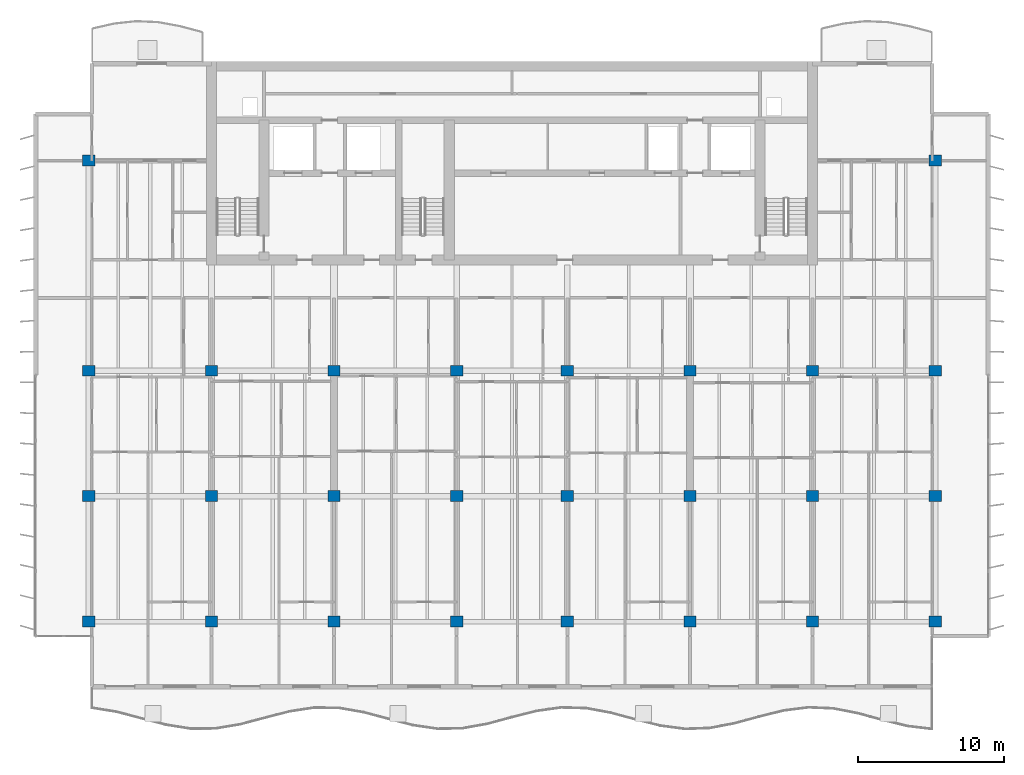
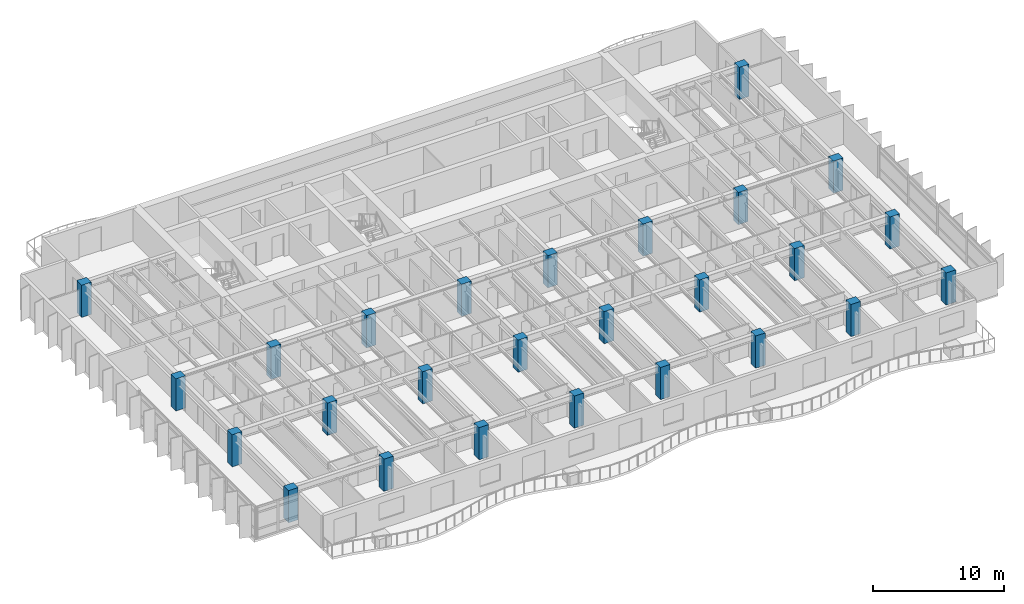
# One storey, part 1 of 19: 26 columns.
"""IFC4 building model written with IfcOpenShell, lengths in metres."""

from ifc_helpers import new_model, si_unit, direction, frame, origin, origin_2d, place, context, subcontext, project, spatial, rectangle, extrude, material, material_profile, profile_set, type_object, element, save


model = new_model("IFC4")

# Units and contexts
model_context = context("Model", 3, precision=1e-05, world=origin(), true_north=direction((0.0, 1.0)))
body_context = subcontext(model_context, "Body", "Model", "MODEL_VIEW")
ifc_project = project(units=[si_unit("LENGTHUNIT", "METRE"), si_unit("AREAUNIT", "SQUARE_METRE"), si_unit("VOLUMEUNIT", "CUBIC_METRE"), si_unit("PLANEANGLEUNIT", "RADIAN"), si_unit("MASSUNIT", "GRAM", prefix="KILO")], contexts=[model_context])

# Site, building, storey
site_placement = place(None, origin())
site = spatial("IfcSite", under=ifc_project, at=site_placement, CompositionType="ELEMENT")
building_placement = place(site_placement, origin())
building = spatial("IfcBuilding", under=site, at=building_placement, Name="Caelmar Bay Residences", CompositionType="ELEMENT")
storey_placement = place(building_placement, frame((0.0, 0.0, 218.10009765625)))
storey = spatial("IfcBuildingStorey", under=building, at=storey_placement, Name="L61", CompositionType="ELEMENT", Elevation=218.10009765625)

# Columns
ifc_material = material(Name="Concrete f'c 55 MPa (8,000 psi)", Category="concrete")
ifc_material_profile = material_profile(ifc_material, rectangle(XDim=0.85009765625, YDim=0.75, at=origin_2d()), Name="RC-COL-850X750")
ifc_profile_set = profile_set([ifc_material_profile], Name="Concrete f'c 55 MPa (8,000 psi)")
column_type = type_object("IfcColumnType", Name="COL-RC-850X750", PredefinedType="COLUMN", material=ifc_profile_set)
for number, where, z_axis, x_axis, name in (
    (1, (9.89990234375, 12.199951171875, 0.0), (0.0, 0.0, 1.0), (1.0, 0.0, 0.0), "L61 Column (9.90,12.20)"),
    (2, (18.300048828125, 12.199951171875, 0.0), (0.0, 0.0, 1.0), (1.0, 0.0, 0.0), "L61 Column (18.30,12.20)"),
    (3, (26.699951171875, 12.199951171875, 0.0), (0.0, 0.0, 1.0), (1.0, 0.0, 0.0), "L61 Column (26.70,12.20)"),
    (4, (35.10009765625, 12.199951171875, 0.0), (0.0, 0.0, 1.0), (1.0, 0.0, 0.0), "L61 Column (35.10,12.20)"),
    (5, (42.699951171875, 12.199951171875, 0.0), (0.0, 0.0, 1.0), (1.0, 0.0, 0.0), "L61 Column (42.70,12.20)"),
    (6, (51.10009765625, 12.199951171875, 0.0), (0.0, 0.0, 1.0), (1.0, 0.0, 0.0), "L61 Column (51.10,12.20)"),
    (7, (59.5, 12.199951171875, 0.0), (0.0, 0.0, 1.0), (1.0, 0.0, 0.0), "L61 Column (59.50,12.20)"),
    (8, (67.89990234375, 12.199951171875, 0.0), (0.0, 0.0, 1.0), (1.0, 0.0, 0.0), "L61 Column (67.90,12.20)"),
    (9, (9.89990234375, 20.800048828125, 0.0), (0.0, 0.0, 1.0), (1.0, 0.0, 0.0), "L61 Column (9.90,20.80)"),
    (10, (18.300048828125, 20.800048828125, 0.0), (0.0, 0.0, 1.0), (1.0, 0.0, 0.0), "L61 Column (18.30,20.80)"),
    (11, (26.699951171875, 20.800048828125, 0.0), (0.0, 0.0, 1.0), (1.0, 0.0, 0.0), "L61 Column (26.70,20.80)"),
    (12, (35.10009765625, 20.800048828125, 0.0), (0.0, 0.0, 1.0), (1.0, 0.0, 0.0), "L61 Column (35.10,20.80)"),
    (13, (42.699951171875, 20.800048828125, 0.0), (0.0, 0.0, 1.0), (1.0, 0.0, 0.0), "L61 Column (42.70,20.80)"),
    (14, (51.10009765625, 20.800048828125, 0.0), (0.0, 0.0, 1.0), (1.0, 0.0, 0.0), "L61 Column (51.10,20.80)"),
    (15, (59.5, 20.800048828125, 0.0), (0.0, 0.0, 1.0), (1.0, 0.0, 0.0), "L61 Column (59.50,20.80)"),
    (16, (67.89990234375, 20.800048828125, 0.0), (0.0, 0.0, 1.0), (1.0, 0.0, 0.0), "L61 Column (67.90,20.80)"),
    (17, (9.89990234375, 29.39990234375, 0.0), (0.0, 0.0, 1.0), (1.0, 0.0, 0.0), "L61 Column (9.90,29.40)"),
    (18, (18.300048828125, 29.39990234375, 0.0), (0.0, 0.0, 1.0), (1.0, 0.0, 0.0), "L61 Column (18.30,29.40)"),
    (19, (26.699951171875, 29.39990234375, 0.0), (0.0, 0.0, 1.0), (1.0, 0.0, 0.0), "L61 Column (26.70,29.40)"),
    (20, (35.10009765625, 29.39990234375, 0.0), (0.0, 0.0, 1.0), (1.0, 0.0, 0.0), "L61 Column (35.10,29.40)"),
    (21, (42.699951171875, 29.39990234375, 0.0), (0.0, 0.0, 1.0), (1.0, 0.0, 0.0), "L61 Column (42.70,29.40)"),
    (22, (51.10009765625, 29.39990234375, 0.0), (0.0, 0.0, 1.0), (1.0, 0.0, 0.0), "L61 Column (51.10,29.40)"),
    (23, (59.5, 29.39990234375, 0.0), (0.0, 0.0, 1.0), (1.0, 0.0, 0.0), "L61 Column (59.50,29.40)"),
    (24, (67.89990234375, 29.39990234375, 0.0), (0.0, 0.0, 1.0), (1.0, 0.0, 0.0), "L61 Column (67.90,29.40)"),
    (25, (9.89990234375, 43.800048828125, 0.0), (0.0, 0.0, 1.0), (1.0, 0.0, 0.0), "L61 Column (9.90,43.80)"),
    (26, (67.89990234375, 43.800048828125, 0.0), (0.0, 0.0, 1.0), (1.0, 0.0, 0.0), "L61 Column (67.90,43.80)"),
):
    element("IfcColumn", number, at=place(storey_placement, frame(where, z_axis=z_axis, x_axis=x_axis)), inside=storey, type_object=column_type, Name=name, PredefinedType="COLUMN", context=body_context, shape_type="SweptSolid", body=[
        extrude(rectangle(XDim=0.85009765625, YDim=0.75, at=origin_2d()), origin(), (0.0, 0.0, 1.0), 3.0),
    ])

save(model, "model.ifc")
